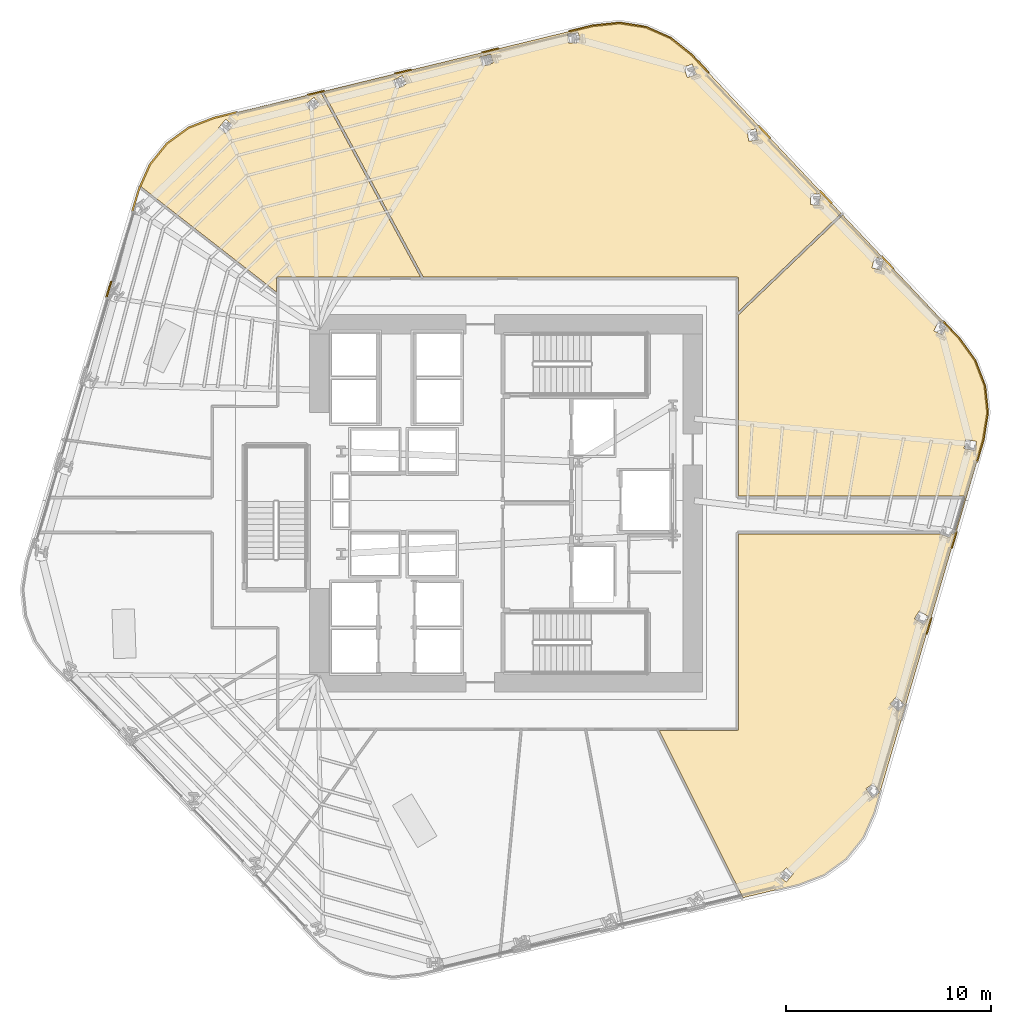
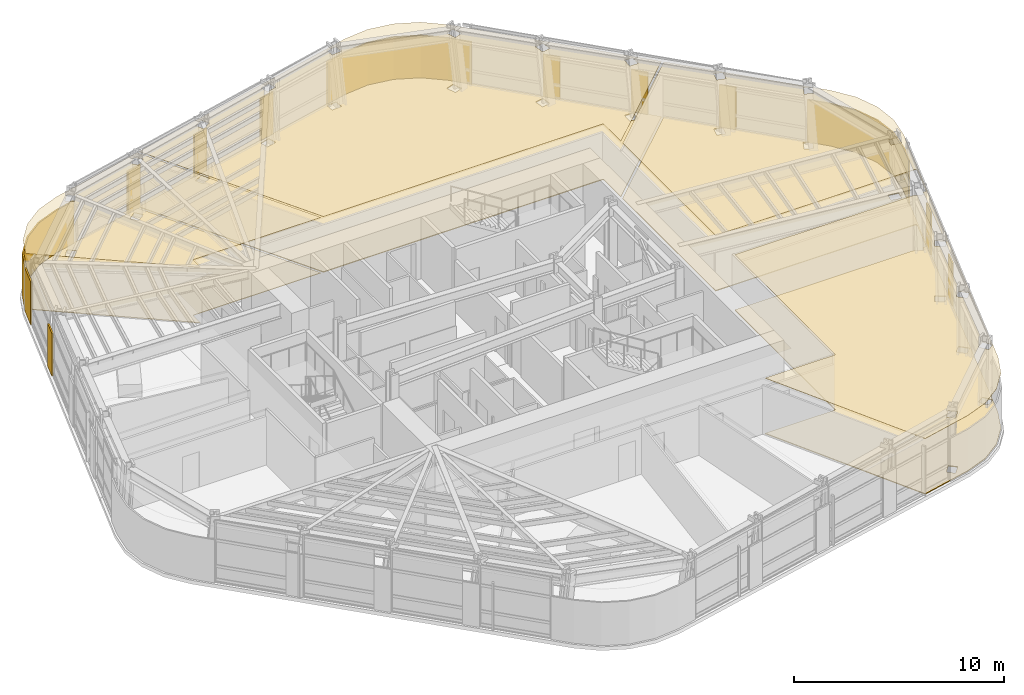
# One storey, part 16 of 17: 18 coverings.
"""IFC4 building model written with IfcOpenShell, lengths in metres."""

from ifc_helpers import new_model, si_unit, direction, frame, origin, place, context, subcontext, project, spatial, polyline, outline, extrude, material, layer, layer_set, type_object, element, save


model = new_model("IFC4")

# Units and contexts
model_context = context("Model", 3, precision=1e-05, world=origin(), true_north=direction((0.0, 1.0)))
body_context = subcontext(model_context, "Body", "Model", "MODEL_VIEW")
ifc_project = project(units=[si_unit("LENGTHUNIT", "METRE"), si_unit("AREAUNIT", "SQUARE_METRE"), si_unit("VOLUMEUNIT", "CUBIC_METRE"), si_unit("PLANEANGLEUNIT", "RADIAN"), si_unit("MASSUNIT", "GRAM", prefix="KILO")], contexts=[model_context])

# Site, building, storey
site_placement = place(None, origin())
site = spatial("IfcSite", under=ifc_project, at=site_placement, CompositionType="ELEMENT")
building_placement = place(site_placement, origin())
building = spatial("IfcBuilding", under=site, at=building_placement, Name="Valkerne Bourse Tower", CompositionType="ELEMENT")
storey_placement = place(building_placement, frame((0.0, 0.0, 82.0)))
storey = spatial("IfcBuildingStorey", under=building, at=storey_placement, Name="L20", CompositionType="ELEMENT", Elevation=82.0)

# Coverings
ifc_material_1 = material(Name="Mineral Fiber Acoustic Ceiling Tile", Category="acoustic")
ifc_layer_1 = layer(ifc_material_1, 0.02490234375)
ifc_layer_set_1 = layer_set([ifc_layer_1], Name="Mineral Fiber Acoustic Ceiling Tile")
covering_type_1 = type_object("IfcCoveringType", Name="COV-CEIL-ACT", PredefinedType="CEILING", material=ifc_layer_set_1)
covering_1_placement = place(storey_placement, frame((0.0, 0.0, 3.22998046875)))
element("IfcCovering", 1, at=covering_1_placement, inside=storey, type_object=covering_type_1, Name="L20 Suspended Ceiling 06", PredefinedType="CEILING", context=body_context, shape_type="SweptSolid", body=[
    extrude(outline(polyline([(31.3125, 45.22119140625), (32.553466796875, 45.697509765625), (37.74169921875, 46.960693359375), (42.6298828125, 37.9189453125), (35.639892578125, 37.91845703125), (35.59912109375, 37.89697265625), (35.5810546875, 37.8544921875), (35.5810546875, 37.2001953125), (28.943603515625, 42.3623046875), (29.414306640625, 43.419921875), (30.244873046875, 44.4453125), (31.3125, 45.22119140625)]), holes=[polyline([(33.45263671875, 45.338134765625), (33.108154296875, 45.627685546875), (33.10546875, 45.625732421875), (32.76123046875, 45.214111328125), (33.105712890625, 44.9248046875), (33.1083984375, 44.9267578125), (33.45263671875, 45.338134765625)]), polyline([(37.290283203125, 46.012939453125), (37.705810546875, 46.3525390625), (37.421875, 46.701416015625), (37.419189453125, 46.7001953125), (37.00341796875, 46.3603515625), (37.287353515625, 46.011474609375), (37.290283203125, 46.012939453125)])]), origin(), (0.0, 0.0, 1.0), 0.02490234375),
])
covering_2_placement = place(storey_placement, frame((0.0, 0.0, 3.22998046875)))
element("IfcCovering", 2, at=covering_2_placement, inside=storey, type_object=covering_type_1, Name="L20 Suspended Ceiling 10", PredefinedType="CEILING", context=body_context, shape_type="SweptSolid", body=[
    extrude(outline(polyline([(53.650390625, 50.126953125), (54.85595703125, 49.59033203125), (55.888916015625, 48.754150390625), (63.167724609375, 41.034423828125), (58.1689453125, 36.24658203125), (58.1689453125, 37.853515625), (58.151611328125, 37.89599609375), (58.110107421875, 37.91845703125), (42.763916015625, 37.9189453125), (37.860107421875, 46.989501953125), (51.025634765625, 50.194580078125), (52.34716796875, 50.33349609375), (53.650390625, 50.126953125)]), holes=[polyline([(41.945556640625, 47.361572265625), (41.73828125, 47.760986328125), (41.7353515625, 47.760009765625), (41.25927734375, 47.51220703125), (41.46630859375, 47.11279296875), (41.46923828125, 47.113525390625), (41.945556640625, 47.361572265625)]), polyline([(46.170654296875, 48.37353515625), (46.04931640625, 48.806640625), (46.046142578125, 48.806640625), (45.529296875, 48.66064453125), (45.65087890625, 48.2275390625), (45.654052734375, 48.2275390625), (46.170654296875, 48.37353515625)]), polyline([(50.347900390625, 49.844482421875), (50.344482421875, 49.844970703125), (49.809814453125, 49.798583984375), (49.84765625, 49.350341796875), (49.85107421875, 49.349853515625), (50.385498046875, 49.39599609375), (50.347900390625, 49.844482421875)]), polyline([(62.1376953125, 41.977783203125), (62.1357421875, 41.97998046875), (61.68701171875, 41.9990234375), (61.662109375, 41.461669921875), (61.664306640625, 41.45947265625), (62.11279296875, 41.4404296875), (62.1376953125, 41.977783203125)]), polyline([(59.02099609375, 45.1591796875), (59.018310546875, 45.160888671875), (58.5751953125, 45.08837890625), (58.66015625, 44.55712890625), (58.66259765625, 44.555419921875), (59.105712890625, 44.6279296875), (59.02099609375, 45.1591796875)]), polyline([(56.084716796875, 47.820556640625), (55.90185546875, 48.326171875), (55.898681640625, 48.327392578125), (55.477294921875, 48.1728515625), (55.660400390625, 47.667236328125), (55.663330078125, 47.665771484375), (56.084716796875, 47.820556640625)])]), origin(), (0.0, 0.0, 1.0), 0.02490234375),
])
covering_3_placement = place(storey_placement, frame((0.0, 0.0, 3.22998046875)))
element("IfcCovering", 3, at=covering_3_placement, inside=storey, type_object=covering_type_1, Name="L20 Suspended Ceiling 11", PredefinedType="CEILING", context=body_context, shape_type="SweptSolid", body=[
    extrude(outline(polyline([(62.335693359375, 8.72802734375), (61.09521484375, 8.251953125), (58.376708984375, 7.6083984375), (54.283935546875, 15.781005859375), (58.1005859375, 15.781005859375), (58.140869140625, 15.794189453125), (58.1650390625, 15.826416015625), (58.1689453125, 25.381103515625), (67.96728515625, 25.381103515625), (68.457763671875, 25.1953125), (68.544189453125, 25.421630859375), (68.554931640625, 25.402587890625), (68.5830078125, 25.384521484375), (68.66796875, 25.384765625), (68.6923828125, 25.3994140625), (68.710205078125, 25.426513671875), (69.210205078125, 27.134033203125), (69.202392578125, 27.185546875), (69.160400390625, 27.216796875), (58.1689453125, 27.218994140625), (58.1689453125, 36.083251953125), (63.248779296875, 40.948486328125), (68.269775390625, 35.623779296875), (67.929443359375, 35.7822265625), (67.699951171875, 35.2958984375), (67.701416015625, 35.292724609375), (68.108154296875, 35.103271484375), (68.32568359375, 35.564453125), (68.931640625, 34.921875), (69.712890625, 33.846435546875), (70.185791015625, 32.614501953125), (70.32373046875, 31.302001953125), (70.11572265625, 29.989013671875), (64.774169921875, 11.7431640625), (64.23388671875, 10.529296875), (63.4033203125, 9.50390625), (62.335693359375, 8.72802734375)]), holes=[polyline([(60.494384765625, 8.374267578125), (60.8388671875, 8.785888671875), (60.494384765625, 9.0751953125), (60.49169921875, 9.0732421875), (60.147216796875, 8.661865234375), (60.49169921875, 8.372314453125), (60.494384765625, 8.374267578125)]), polyline([(65.060302734375, 12.753662109375), (64.751953125, 13.1953125), (64.3837890625, 12.939697265625), (64.3818359375, 12.93701171875), (64.690185546875, 12.495361328125), (65.058349609375, 12.751220703125), (65.060302734375, 12.753662109375)]), polyline([(66.259765625, 17.0380859375), (65.873779296875, 17.413818359375), (65.560302734375, 17.093017578125), (65.558837890625, 17.09033203125), (65.94482421875, 16.714599609375), (66.25830078125, 17.03515625), (66.259765625, 17.0380859375)]), polyline([(67.446044921875, 21.32861328125), (66.99169921875, 21.617919921875), (66.75, 21.240234375), (66.7490234375, 21.2373046875), (67.20361328125, 20.947998046875), (67.4453125, 21.32568359375), (67.446044921875, 21.32861328125)]), polyline([(69.77880859375, 29.89306640625), (69.778564453125, 29.896484375), (69.247802734375, 29.9892578125), (69.169677734375, 29.5478515625), (69.169921875, 29.544677734375), (69.70068359375, 29.451904296875), (69.77880859375, 29.89306640625)]), polyline([(65.244873046875, 38.785400390625), (65.2431640625, 38.7880859375), (64.807861328125, 38.898193359375), (64.673828125, 38.377197265625), (64.675537109375, 38.37451171875), (65.11083984375, 38.264404296875), (65.244873046875, 38.785400390625)])]), origin(), (0.0, 0.0, 1.0), 0.02490234375),
])
ifc_material_2 = material(Name="Bronze Anodised Aluminium AA 6063-T6", Category="aluminium")
ifc_layer_2 = layer(ifc_material_2, 0.06005859375)
ifc_layer_set_2 = layer_set([ifc_layer_2], Name="Bronze Anodised Aluminium AA 6063-T6")
covering_type_2 = type_object("IfcCoveringType", Name="COV-CRN-ALUM", PredefinedType="CLADDING", material=ifc_layer_set_2)
covering_4_placement = place(storey_placement, origin())
element("IfcCovering", 4, at=covering_4_placement, inside=storey, type_object=covering_type_2, Name="L20 Wind-Shaped Corner Aluminium Cladding 12", PredefinedType="CLADDING", context=body_context, shape_type="SweptSolid", body=[
    extrude(outline(polyline([(27.486572265625, 37.72998046875), (27.563232421875, 37.70751953125), (27.322265625, 36.90283203125), (27.24560546875, 36.925537109375), (27.486572265625, 37.72998046875)])), origin(), (0.0, 0.0, 1.0), 2.5),
])
covering_5_placement = place(storey_placement, origin())
element("IfcCovering", 5, at=covering_5_placement, inside=storey, type_object=covering_type_2, Name="L20 Wind-Shaped Corner Aluminium Cladding 13", PredefinedType="CLADDING", context=body_context, shape_type="SweptSolid", body=[
    extrude(outline(polyline([(28.83251953125, 42.220947265625), (29.376708984375, 43.443115234375), (30.21435546875, 44.4775390625), (31.291259765625, 45.260009765625), (32.540283203125, 45.739501953125), (33.65283203125, 46.010498046875), (33.67138671875, 45.9326171875), (32.564208984375, 45.6630859375), (31.32958984375, 45.189208984375), (30.27001953125, 44.419189453125), (29.4453125, 43.40087890625), (28.90771484375, 42.193115234375), (28.580322265625, 41.101318359375), (28.503662109375, 41.1240234375), (28.83251953125, 42.220947265625)])), origin(), (0.0, 0.0, 1.0), 2.5),
])
covering_6_placement = place(storey_placement, origin())
element("IfcCovering", 6, at=covering_6_placement, inside=storey, type_object=covering_type_2, Name="L20 Wind-Shaped Corner Aluminium Cladding 14", PredefinedType="CLADDING", context=body_context, shape_type="SweptSolid", body=[
    extrude(outline(polyline([(37.91162109375, 47.047119140625), (37.93017578125, 46.969482421875), (37.114013671875, 46.770751953125), (37.09521484375, 46.848388671875), (37.91162109375, 47.047119140625)])), origin(), (0.0, 0.0, 1.0), 2.5),
])
covering_7_placement = place(storey_placement, origin())
element("IfcCovering", 7, at=covering_7_placement, inside=storey, type_object=covering_type_2, Name="L20 Wind-Shaped Corner Aluminium Cladding 15", PredefinedType="CLADDING", context=body_context, shape_type="SweptSolid", body=[
    extrude(outline(polyline([(42.170166015625, 48.083984375), (42.188720703125, 48.006103515625), (41.37255859375, 47.8076171875), (41.35400390625, 47.88525390625), (42.170166015625, 48.083984375)])), origin(), (0.0, 0.0, 1.0), 2.5),
])
covering_8_placement = place(storey_placement, origin())
element("IfcCovering", 8, at=covering_8_placement, inside=storey, type_object=covering_type_2, Name="L20 Wind-Shaped Corner Aluminium Cladding 16", PredefinedType="CLADDING", context=body_context, shape_type="SweptSolid", body=[
    extrude(outline(polyline([(46.4287109375, 49.120849609375), (46.447509765625, 49.04296875), (45.63134765625, 48.84423828125), (45.612548828125, 48.922119140625), (46.4287109375, 49.120849609375)])), origin(), (0.0, 0.0, 1.0), 2.5),
])
covering_9_placement = place(storey_placement, origin())
element("IfcCovering", 9, at=covering_9_placement, inside=storey, type_object=covering_type_2, Name="L20 Wind-Shaped Corner Aluminium Cladding 17", PredefinedType="CLADDING", context=body_context, shape_type="SweptSolid", body=[
    extrude(outline(polyline([(51.01806640625, 50.238037109375), (52.348388671875, 50.3779296875), (53.6630859375, 50.169677734375), (54.879150390625, 49.628173828125), (55.918701171875, 48.786376953125), (56.728515625, 47.927490234375), (56.67041015625, 47.87255859375), (55.8642578125, 48.7275390625), (54.8369140625, 49.559326171875), (53.64013671875, 50.09228515625), (52.34619140625, 50.297119140625), (51.03173828125, 50.158935546875), (49.889892578125, 49.881103515625), (49.87109375, 49.958740234375), (51.01806640625, 50.238037109375)])), origin(), (0.0, 0.0, 1.0), 2.5),
])
covering_10_placement = place(storey_placement, origin())
element("IfcCovering", 10, at=covering_10_placement, inside=storey, type_object=covering_type_2, Name="L20 Wind-Shaped Corner Aluminium Cladding 18", PredefinedType="CLADDING", context=body_context, shape_type="SweptSolid", body=[
    extrude(outline(polyline([(59.7353515625, 44.73876953125), (59.677490234375, 44.68359375), (59.101318359375, 45.294921875), (59.1591796875, 45.349853515625), (59.7353515625, 44.73876953125)])), origin(), (0.0, 0.0, 1.0), 2.5),
])
covering_11_placement = place(storey_placement, origin())
element("IfcCovering", 11, at=covering_11_placement, inside=storey, type_object=covering_type_2, Name="L20 Wind-Shaped Corner Aluminium Cladding 19", PredefinedType="CLADDING", context=body_context, shape_type="SweptSolid", body=[
    extrude(outline(polyline([(62.742431640625, 41.5498046875), (62.684326171875, 41.49462890625), (62.108154296875, 42.105712890625), (62.166015625, 42.160888671875), (62.742431640625, 41.5498046875)])), origin(), (0.0, 0.0, 1.0), 2.5),
])
covering_12_placement = place(storey_placement, origin())
element("IfcCovering", 12, at=covering_12_placement, inside=storey, type_object=covering_type_2, Name="L20 Wind-Shaped Corner Aluminium Cladding 20", PredefinedType="CLADDING", context=body_context, shape_type="SweptSolid", body=[
    extrude(outline(polyline([(65.749267578125, 38.36083984375), (65.69140625, 38.305908203125), (65.114990234375, 38.9169921875), (65.173095703125, 38.971923828125), (65.749267578125, 38.36083984375)])), origin(), (0.0, 0.0, 1.0), 2.5),
])
covering_13_placement = place(storey_placement, origin())
element("IfcCovering", 13, at=covering_13_placement, inside=storey, type_object=covering_type_2, Name="L20 Wind-Shaped Corner Aluminium Cladding 21", PredefinedType="CLADDING", context=body_context, shape_type="SweptSolid", body=[
    extrude(outline(polyline([(68.965576171875, 34.949951171875), (69.751953125, 33.86767578125), (70.22900390625, 32.624755859375), (70.3681640625, 31.30078125), (70.15869140625, 29.9794921875), (69.837158203125, 28.880615234375), (69.760498046875, 28.9033203125), (70.08056640625, 29.9970703125), (70.287353515625, 31.302978515625), (70.150390625, 32.60595703125), (69.680908203125, 33.8291015625), (68.90380859375, 34.898681640625), (68.121826171875, 35.72802734375), (68.179931640625, 35.783203125), (68.965576171875, 34.949951171875)])), origin(), (0.0, 0.0, 1.0), 2.5),
])
covering_14_placement = place(storey_placement, origin())
element("IfcCovering", 14, at=covering_14_placement, inside=storey, type_object=covering_type_2, Name="L20 Wind-Shaped Corner Aluminium Cladding 22", PredefinedType="CLADDING", context=body_context, shape_type="SweptSolid", body=[
    extrude(outline(polyline([(68.605712890625, 24.674072265625), (68.52880859375, 24.69677734375), (68.764892578125, 25.5029296875), (68.841796875, 25.480224609375), (68.605712890625, 24.674072265625)])), origin(), (0.0, 0.0, 1.0), 2.5),
])
covering_15_placement = place(storey_placement, origin())
element("IfcCovering", 15, at=covering_15_placement, inside=storey, type_object=covering_type_2, Name="L20 Wind-Shaped Corner Aluminium Cladding 23", PredefinedType="CLADDING", context=body_context, shape_type="SweptSolid", body=[
    extrude(outline(polyline([(67.374267578125, 20.467529296875), (67.297607421875, 20.490234375), (67.533447265625, 21.29638671875), (67.610107421875, 21.273681640625), (67.374267578125, 20.467529296875)])), origin(), (0.0, 0.0, 1.0), 2.5),
])
ifc_material_3 = material(Name="Galvanised Painted Steel", Category="steel")
ifc_layer_3 = layer(ifc_material_3, 0.044921875)
ifc_layer_set_3 = layer_set([ifc_layer_3], Name="Galvanised Painted Steel")
covering_type_3 = type_object("IfcCoveringType", Name="COV-FLR-RAF", PredefinedType="FLOORING", material=ifc_layer_set_3)
covering_16_placement = place(storey_placement, origin())
element("IfcCovering", 16, at=covering_16_placement, inside=storey, type_object=covering_type_3, Name="L20 Floor Finish 10", PredefinedType="FLOORING", context=body_context, shape_type="SweptSolid", body=[
    extrude(outline(polyline([(53.650390625, 50.126953125), (54.85595703125, 49.59033203125), (55.888916015625, 48.754150390625), (63.167724609375, 41.034423828125), (58.1689453125, 36.24658203125), (58.1689453125, 37.853515625), (58.151611328125, 37.89599609375), (58.110107421875, 37.91845703125), (42.763916015625, 37.9189453125), (37.860107421875, 46.989501953125), (51.025634765625, 50.194580078125), (52.34716796875, 50.33349609375), (53.650390625, 50.126953125)]), holes=[polyline([(41.945556640625, 47.361572265625), (41.73828125, 47.760986328125), (41.7353515625, 47.760009765625), (41.25927734375, 47.51220703125), (41.46630859375, 47.11279296875), (41.46923828125, 47.113525390625), (41.945556640625, 47.361572265625)]), polyline([(46.170654296875, 48.37353515625), (46.04931640625, 48.806640625), (46.046142578125, 48.806640625), (45.529296875, 48.66064453125), (45.65087890625, 48.2275390625), (45.654052734375, 48.2275390625), (46.170654296875, 48.37353515625)]), polyline([(50.347900390625, 49.844482421875), (50.344482421875, 49.844970703125), (49.809814453125, 49.798583984375), (49.84765625, 49.350341796875), (49.85107421875, 49.349853515625), (50.385498046875, 49.39599609375), (50.347900390625, 49.844482421875)]), polyline([(62.1376953125, 41.977783203125), (62.1357421875, 41.97998046875), (61.68701171875, 41.9990234375), (61.662109375, 41.461669921875), (61.664306640625, 41.45947265625), (62.11279296875, 41.4404296875), (62.1376953125, 41.977783203125)]), polyline([(59.02099609375, 45.1591796875), (59.018310546875, 45.160888671875), (58.5751953125, 45.08837890625), (58.66015625, 44.55712890625), (58.66259765625, 44.555419921875), (59.105712890625, 44.6279296875), (59.02099609375, 45.1591796875)]), polyline([(56.084716796875, 47.820556640625), (55.90185546875, 48.326171875), (55.898681640625, 48.327392578125), (55.477294921875, 48.1728515625), (55.660400390625, 47.667236328125), (55.663330078125, 47.665771484375), (56.084716796875, 47.820556640625)])]), origin(), (0.0, 0.0, 1.0), 0.044921875),
])
covering_17_placement = place(storey_placement, origin())
element("IfcCovering", 17, at=covering_17_placement, inside=storey, type_object=covering_type_3, Name="L20 Floor Finish 11", PredefinedType="FLOORING", context=body_context, shape_type="SweptSolid", body=[
    extrude(outline(polyline([(62.335693359375, 8.72802734375), (61.09521484375, 8.251953125), (58.376708984375, 7.6083984375), (54.283935546875, 15.781005859375), (58.1005859375, 15.781005859375), (58.140869140625, 15.794189453125), (58.1650390625, 15.826416015625), (58.1689453125, 25.381103515625), (67.96728515625, 25.381103515625), (68.457763671875, 25.1953125), (68.544189453125, 25.421630859375), (68.554931640625, 25.402587890625), (68.5830078125, 25.384521484375), (68.66796875, 25.384765625), (68.6923828125, 25.3994140625), (68.710205078125, 25.426513671875), (69.210205078125, 27.134033203125), (69.202392578125, 27.185546875), (69.160400390625, 27.216796875), (58.1689453125, 27.218994140625), (58.1689453125, 36.083251953125), (63.248779296875, 40.948486328125), (68.269775390625, 35.623779296875), (67.929443359375, 35.7822265625), (67.699951171875, 35.2958984375), (67.701416015625, 35.292724609375), (68.108154296875, 35.103271484375), (68.32568359375, 35.564453125), (68.931640625, 34.921875), (69.712890625, 33.846435546875), (70.185791015625, 32.614501953125), (70.32373046875, 31.302001953125), (70.11572265625, 29.989013671875), (64.774169921875, 11.7431640625), (64.23388671875, 10.529296875), (63.4033203125, 9.50390625), (62.335693359375, 8.72802734375)]), holes=[polyline([(60.494384765625, 8.374267578125), (60.8388671875, 8.785888671875), (60.494384765625, 9.0751953125), (60.49169921875, 9.0732421875), (60.147216796875, 8.661865234375), (60.49169921875, 8.372314453125), (60.494384765625, 8.374267578125)]), polyline([(65.060302734375, 12.753662109375), (64.751953125, 13.1953125), (64.3837890625, 12.939697265625), (64.3818359375, 12.93701171875), (64.690185546875, 12.495361328125), (65.058349609375, 12.751220703125), (65.060302734375, 12.753662109375)]), polyline([(66.259765625, 17.0380859375), (65.873779296875, 17.413818359375), (65.560302734375, 17.093017578125), (65.558837890625, 17.09033203125), (65.94482421875, 16.714599609375), (66.25830078125, 17.03515625), (66.259765625, 17.0380859375)]), polyline([(67.446044921875, 21.32861328125), (66.99169921875, 21.617919921875), (66.75, 21.240234375), (66.7490234375, 21.2373046875), (67.20361328125, 20.947998046875), (67.4453125, 21.32568359375), (67.446044921875, 21.32861328125)]), polyline([(69.77880859375, 29.89306640625), (69.778564453125, 29.896484375), (69.247802734375, 29.9892578125), (69.169677734375, 29.5478515625), (69.169921875, 29.544677734375), (69.70068359375, 29.451904296875), (69.77880859375, 29.89306640625)]), polyline([(65.244873046875, 38.785400390625), (65.2431640625, 38.7880859375), (64.807861328125, 38.898193359375), (64.673828125, 38.377197265625), (64.675537109375, 38.37451171875), (65.11083984375, 38.264404296875), (65.244873046875, 38.785400390625)])]), origin(), (0.0, 0.0, 1.0), 0.044921875),
])
ifc_material_4 = material(Name="Polished Granite Stone", Category="masonry")
ifc_layer_4 = layer(ifc_material_4, 0.030029296875)
ifc_layer_set_4 = layer_set([ifc_layer_4], Name="Polished Granite Stone")
covering_type_4 = type_object("IfcCoveringType", Name="COV-FLR-TERRAZZO", PredefinedType="FLOORING", material=ifc_layer_set_4)
covering_18_placement = place(storey_placement, origin())
element("IfcCovering", 18, at=covering_18_placement, inside=storey, type_object=covering_type_4, Name="L20 Floor Finish 06", PredefinedType="FLOORING", context=body_context, shape_type="SweptSolid", body=[
    extrude(outline(polyline([(31.3125, 45.22119140625), (32.553466796875, 45.697509765625), (37.74169921875, 46.960693359375), (42.6298828125, 37.9189453125), (35.639892578125, 37.91845703125), (35.59912109375, 37.89697265625), (35.5810546875, 37.8544921875), (35.5810546875, 37.2001953125), (28.943603515625, 42.3623046875), (29.414306640625, 43.419921875), (30.244873046875, 44.4453125), (31.3125, 45.22119140625)]), holes=[polyline([(33.45263671875, 45.338134765625), (33.108154296875, 45.627685546875), (33.10546875, 45.625732421875), (32.76123046875, 45.214111328125), (33.105712890625, 44.9248046875), (33.1083984375, 44.9267578125), (33.45263671875, 45.338134765625)]), polyline([(37.290283203125, 46.012939453125), (37.705810546875, 46.3525390625), (37.421875, 46.701416015625), (37.419189453125, 46.7001953125), (37.00341796875, 46.3603515625), (37.287353515625, 46.011474609375), (37.290283203125, 46.012939453125)])]), origin(), (0.0, 0.0, 1.0), 0.030029296875),
])

save(model, "model.ifc")
